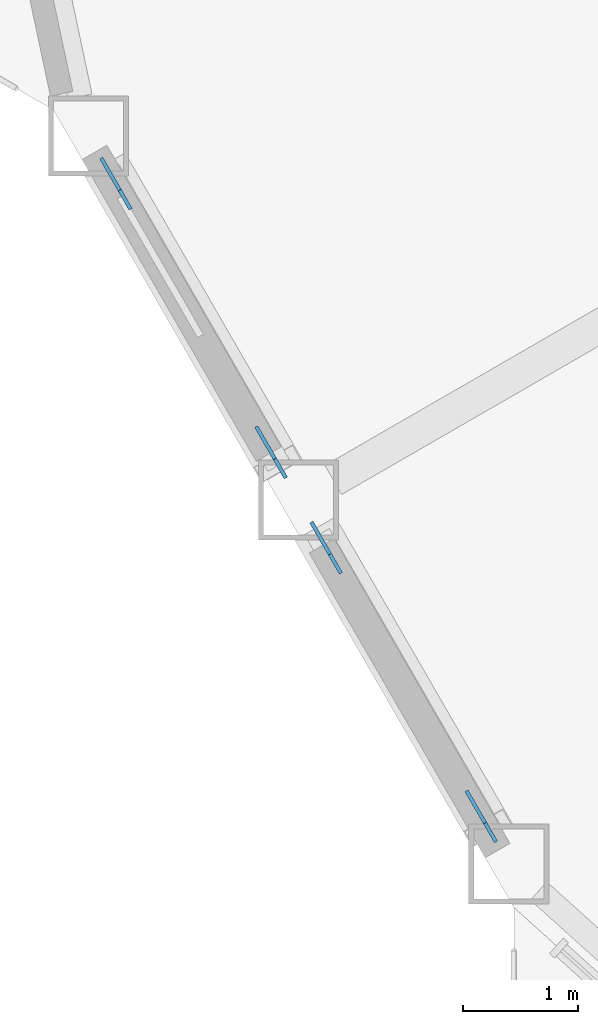
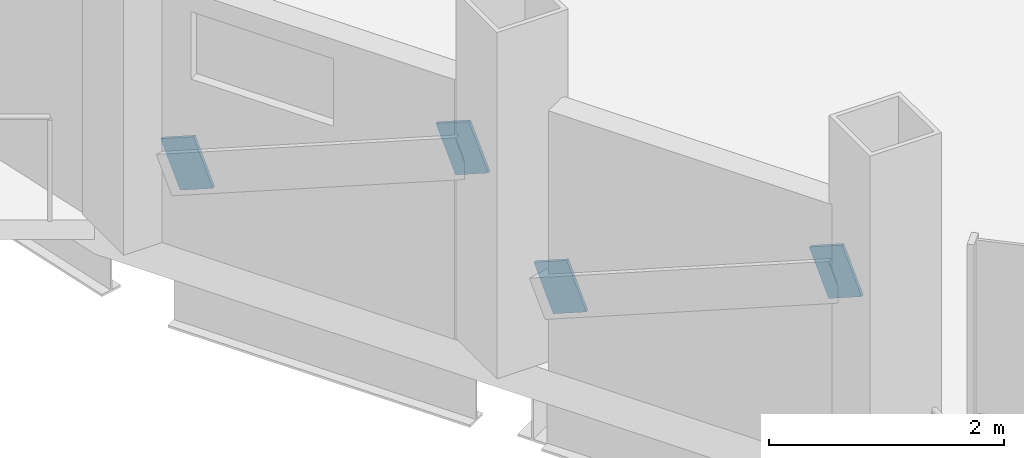
# One storey, part 16 of 23: 4 discrete accessories.
"""IFC4 building model written with IfcOpenShell, lengths in metres."""

from ifc_helpers import new_model, si_unit, direction, frame, origin, origin_2d, place, context, subcontext, project, spatial, rectangle, extrude, material, material_profile, profile_set, type_object, element, save


model = new_model("IFC4")

# Units and contexts
model_context = context("Model", 3, precision=1e-05, world=origin(), true_north=direction((0.0, 1.0)))
body_context = subcontext(model_context, "Body", "Model", "MODEL_VIEW")
ifc_project = project(units=[si_unit("LENGTHUNIT", "METRE"), si_unit("AREAUNIT", "SQUARE_METRE"), si_unit("VOLUMEUNIT", "CUBIC_METRE"), si_unit("PLANEANGLEUNIT", "RADIAN"), si_unit("MASSUNIT", "GRAM", prefix="KILO")], contexts=[model_context])

# Site, building, storey
site_placement = place(None, origin())
site = spatial("IfcSite", under=ifc_project, at=site_placement, CompositionType="ELEMENT")
building_placement = place(site_placement, origin())
building = spatial("IfcBuilding", under=site, at=building_placement, Name="Cormorant Prow Tower", CompositionType="ELEMENT")
storey_placement = place(building_placement, frame((0.0, 0.0, 256.199951171875)))
storey = spatial("IfcBuildingStorey", under=building, at=storey_placement, Name="L57", CompositionType="ELEMENT", Elevation=256.199951171875)

# Discrete accessories
ifc_material = material(Name="Structural steel ASTM A500 Gr C", Category="steel")
ifc_material_profile = material_profile(ifc_material, rectangle(XDim=0.031982421875, YDim=0.506103515625, at=origin_2d()), Name="Gusset plate 32x506")
ifc_profile_set = profile_set([ifc_material_profile], Name="Structural steel ASTM A500 Gr C")
discrete_accessory_type = type_object("IfcDiscreteAccessoryType", Name="Gusset plate 32x506", PredefinedType="BRACKET", material=ifc_profile_set)
discrete_accessory_1_placement = place(storey_placement, frame((-29.2900390625, -13.4150390625, 0.863037109375), z_axis=(-0.46266066689, 0.801805590131, -0.37822335061), x_axis=(-0.866147934042, -0.499787711288, 0.0)))
element("IfcDiscreteAccessory", 1, at=discrete_accessory_1_placement, inside=storey, type_object=discrete_accessory_type, Name="Gusset plate GP2 L57.WSW00.g0", PredefinedType="BRACKET", context=body_context, shape_type="SweptSolid", body=[
    extrude(rectangle(XDim=0.031982421875, YDim=0.506103515625, at=origin_2d()), origin(), (0.0, 0.0, 1.0), 0.349853515625),
])
discrete_accessory_2_placement = place(storey_placement, frame((-28.09814453125, -15.4794921875, 1.837890625), z_axis=(0.462827914709, -0.801584490837, 0.378487285673), x_axis=(0.866010015463, 0.500026652407, 0.0)))
element("IfcDiscreteAccessory", 2, at=discrete_accessory_2_placement, inside=storey, type_object=discrete_accessory_type, Name="Gusset plate GP2 L57.WSW00.g1", PredefinedType="BRACKET", context=body_context, shape_type="SweptSolid", body=[
    extrude(rectangle(XDim=0.031982421875, YDim=0.506103515625, at=origin_2d()), origin(), (0.0, 0.0, 1.0), 0.350341796875),
])
discrete_accessory_3_placement = place(storey_placement, frame((-27.454833984375, -16.59375, 0.863037109375), z_axis=(-0.46266066689, 0.801805590131, -0.37822335061), x_axis=(-0.866147934042, -0.499787711288, 0.0)))
element("IfcDiscreteAccessory", 3, at=discrete_accessory_3_placement, inside=storey, type_object=discrete_accessory_type, Name="Gusset plate GP2 L57.WSW01.g0", PredefinedType="BRACKET", context=body_context, shape_type="SweptSolid", body=[
    extrude(rectangle(XDim=0.031982421875, YDim=0.506103515625, at=origin_2d()), origin(), (0.0, 0.0, 1.0), 0.349853515625),
])
discrete_accessory_4_placement = place(storey_placement, frame((-26.262939453125, -18.658203125, 1.837890625), z_axis=(0.462827914709, -0.801584490837, 0.378487285673), x_axis=(0.866010015463, 0.500026652407, 0.0)))
element("IfcDiscreteAccessory", 4, at=discrete_accessory_4_placement, inside=storey, type_object=discrete_accessory_type, Name="Gusset plate GP2 L57.WSW01.g1", PredefinedType="BRACKET", context=body_context, shape_type="SweptSolid", body=[
    extrude(rectangle(XDim=0.031982421875, YDim=0.506103515625, at=origin_2d()), origin(), (0.0, 0.0, 1.0), 0.350341796875),
])

save(model, "model.ifc")
